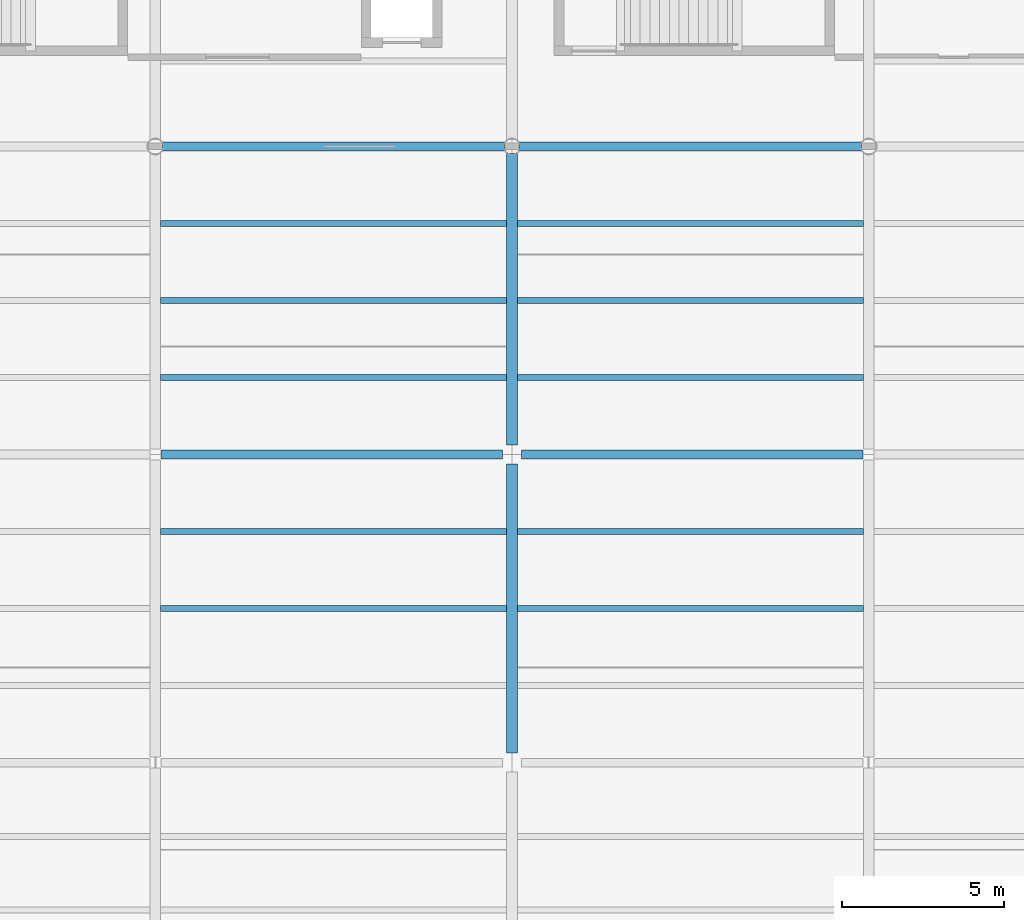
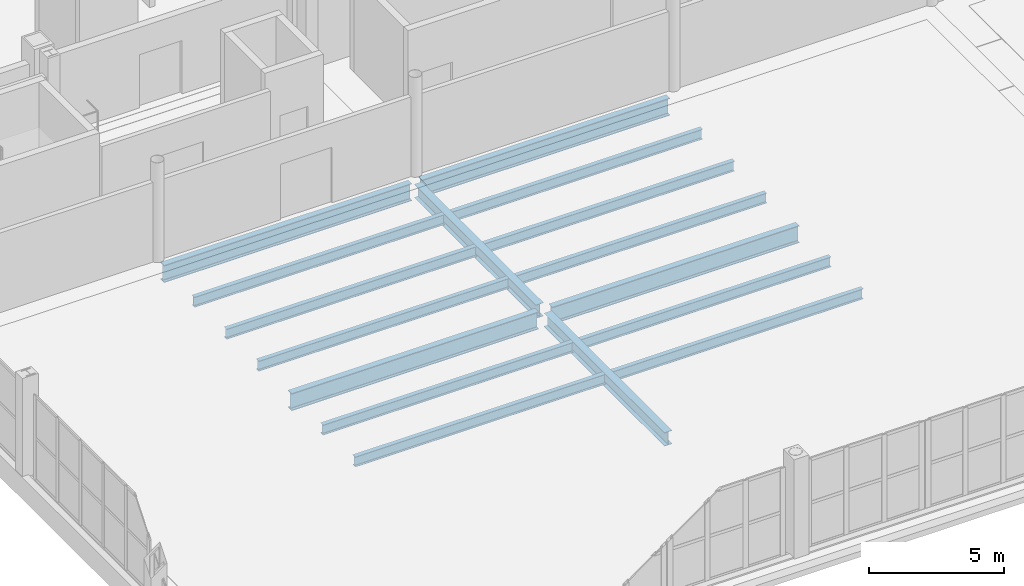
# One storey, part 25 of 156: 16 beams.
"""IFC4 building model written with IfcOpenShell, lengths in metres."""

from ifc_helpers import new_model, si_unit, direction, frame, origin, origin_2d, place, context, subcontext, project, spatial, i_section, extrude, material, material_profile, profile_set, type_object, element, save


model = new_model("IFC4")

# Units and contexts
model_context = context("Model", 3, precision=1e-05, world=origin(), true_north=direction((0.0, 1.0)))
body_context = subcontext(model_context, "Body", "Model", "MODEL_VIEW")
ifc_project = project(units=[si_unit("LENGTHUNIT", "METRE"), si_unit("AREAUNIT", "SQUARE_METRE"), si_unit("VOLUMEUNIT", "CUBIC_METRE"), si_unit("PLANEANGLEUNIT", "RADIAN"), si_unit("MASSUNIT", "GRAM", prefix="KILO")], contexts=[model_context])

# Site, building, storey
site_placement = place(None, origin())
site = spatial("IfcSite", under=ifc_project, at=site_placement, CompositionType="ELEMENT")
building_placement = place(site_placement, origin())
building = spatial("IfcBuilding", under=site, at=building_placement, Name="Caurita Quay Ferry Terminal", CompositionType="ELEMENT")
storey_placement = place(building_placement, frame((0.0, 0.0, 5.39990234375)))
storey = spatial("IfcBuildingStorey", under=building, at=storey_placement, Name="L01", CompositionType="ELEMENT", Elevation=5.39990234375)

# Beams
ifc_material = material(Name="Structural steel ASTM A992 Gr. 50", Category="steel")
ifc_material_profile_1 = material_profile(ifc_material, i_section(OverallWidth=0.3251953125, OverallDepth=0.612060546875, WebThickness=0.0126953125, FlangeThickness=0.01904296875, FilletRadius=0.01513671875, at=origin_2d()), Name="W24X104")
ifc_profile_set_1 = profile_set([ifc_material_profile_1], Name="Structural steel ASTM A992 Gr. 50")
beam_type_1 = type_object("IfcBeamType", Name="BM-GR-W24A", PredefinedType="BEAM", material=ifc_profile_set_1)
beam_1_placement = place(storey_placement, frame((22.0, 43.99755859375, -0.60595703125), z_axis=(0.0, 1.0, 0.0), x_axis=(-1.0, 0.0, 0.0)))
element("IfcBeam", 1, at=beam_1_placement, inside=storey, type_object=beam_type_1, Name="L01 Beam BM-V1-L01-Y-220-440", PredefinedType="BEAM", context=body_context, shape_type="SweptSolid", body=[
    extrude(i_section(OverallWidth=0.3251953125, OverallDepth=0.612060546875, WebThickness=0.0126953125, FlangeThickness=0.01904296875, FilletRadius=0.01513671875, at=origin_2d()), origin(), (0.0, 0.0, 1.0), 8.905029296875),
])
beam_2_placement = place(storey_placement, frame((22.0, 53.49755859375, -0.60595703125), z_axis=(0.0, 1.0, 0.0), x_axis=(-1.0, 0.0, 0.0)))
element("IfcBeam", 2, at=beam_2_placement, inside=storey, type_object=beam_type_1, Name="L01 Beam BM-V1-L01-Y-220-535", PredefinedType="BEAM", context=body_context, shape_type="SweptSolid", body=[
    extrude(i_section(OverallWidth=0.3251953125, OverallDepth=0.612060546875, WebThickness=0.0126953125, FlangeThickness=0.01904296875, FilletRadius=0.01513671875, at=origin_2d()), origin(), (0.0, 0.0, 1.0), 8.986572265625),
])
ifc_material_profile_2 = material_profile(ifc_material, i_section(OverallWidth=0.2666015625, OverallDepth=0.77978515625, WebThickness=0.0166015625, FlangeThickness=0.030029296875, FilletRadius=0.01904296875, at=origin_2d()), Name="W30X148")
ifc_profile_set_2 = profile_set([ifc_material_profile_2], Name="Structural steel ASTM A992 Gr. 50")
beam_type_2 = type_object("IfcBeamType", Name="BM-GR-W30A", PredefinedType="BEAM", material=ifc_profile_set_2)
for number, where, z_axis, x_axis, name in (
    (3, (11.17041015625, 53.199951171875, -0.689697265625), (1.0, 0.0, 0.0), (0.0, 1.0, 0.0), "L01 Beam BM-V1-L01-X-112-532"),
    (4, (22.297607421875, 53.199951171875, -0.689697265625), (1.0, 0.0, 0.0), (0.0, 1.0, 0.0), "L01 Beam BM-V1-L01-X-223-532"),
):
    element("IfcBeam", number, at=place(storey_placement, frame(where, z_axis=z_axis, x_axis=x_axis)), inside=storey, type_object=beam_type_2, Name=name, PredefinedType="BEAM", context=body_context, shape_type="SweptSolid", body=[
        extrude(i_section(OverallWidth=0.2666015625, OverallDepth=0.77978515625, WebThickness=0.0166015625, FlangeThickness=0.030029296875, FilletRadius=0.01904296875, at=origin_2d()), origin(), (0.0, 0.0, 1.0), 10.531982421875),
    ])
for number, where, z_axis, x_axis, name in (
    (5, (11.2158203125, 62.699951171875, -0.689697265625), (1.0, 0.0, 0.0), (0.0, 1.0, 0.0), "L01 Beam BM-V1-L01-X-112-627"),
    (6, (22.2158203125, 62.699951171875, -0.689697265625), (1.0, 0.0, 0.0), (0.0, 1.0, 0.0), "L01 Beam BM-V1-L01-X-222-627"),
):
    element("IfcBeam", number, at=place(storey_placement, frame(where, z_axis=z_axis, x_axis=x_axis)), inside=storey, type_object=beam_type_2, Name=name, PredefinedType="BEAM", context=body_context, shape_type="SweptSolid", body=[
        extrude(i_section(OverallWidth=0.2666015625, OverallDepth=0.77978515625, WebThickness=0.0166015625, FlangeThickness=0.030029296875, FilletRadius=0.01904296875, at=origin_2d()), origin(), (0.0, 0.0, 1.0), 10.568359375),
    ])
ifc_material_profile_3 = material_profile(ifc_material, i_section(OverallWidth=0.1904296875, OverallDepth=0.457275390625, WebThickness=0.009033203125, FlangeThickness=0.014404296875, FilletRadius=0.0126953125, at=origin_2d()), Name="W18X50")
ifc_profile_set_3 = profile_set([ifc_material_profile_3], Name="Structural steel ASTM A992 Gr. 50")
beam_type_3 = type_object("IfcBeamType", Name="BM-JS-W18B", PredefinedType="JOIST", material=ifc_profile_set_3)
for number, where, z_axis, x_axis, name in (
    (7, (11.16259765625, 48.449951171875, -0.528564453125), (1.0, 0.0, 0.0), (0.0, 1.0, 0.0), "L01 Beam JS-V1-L01-014"),
    (8, (11.16259765625, 50.824951171875, -0.528564453125), (1.0, 0.0, 0.0), (0.0, 1.0, 0.0), "L01 Beam JS-V1-L01-015"),
    (9, (11.16259765625, 55.574951171875, -0.528564453125), (1.0, 0.0, 0.0), (0.0, 1.0, 0.0), "L01 Beam JS-V1-L01-016"),
    (10, (11.16259765625, 57.949951171875, -0.528564453125), (1.0, 0.0, 0.0), (0.0, 1.0, 0.0), "L01 Beam JS-V1-L01-017"),
    (11, (11.16259765625, 60.324951171875, -0.528564453125), (1.0, 0.0, 0.0), (0.0, 1.0, 0.0), "L01 Beam JS-V1-L01-018"),
    (12, (22.16259765625, 48.449951171875, -0.528564453125), (1.0, 0.0, 0.0), (0.0, 1.0, 0.0), "L01 Beam JS-V1-L01-024"),
    (13, (22.16259765625, 50.824951171875, -0.528564453125), (1.0, 0.0, 0.0), (0.0, 1.0, 0.0), "L01 Beam JS-V1-L01-025"),
    (14, (22.16259765625, 55.574951171875, -0.528564453125), (1.0, 0.0, 0.0), (0.0, 1.0, 0.0), "L01 Beam JS-V1-L01-026"),
    (15, (22.16259765625, 57.949951171875, -0.528564453125), (1.0, 0.0, 0.0), (0.0, 1.0, 0.0), "L01 Beam JS-V1-L01-027"),
    (16, (22.16259765625, 60.324951171875, -0.528564453125), (1.0, 0.0, 0.0), (0.0, 1.0, 0.0), "L01 Beam JS-V1-L01-028"),
):
    element("IfcBeam", number, at=place(storey_placement, frame(where, z_axis=z_axis, x_axis=x_axis)), inside=storey, type_object=beam_type_3, Name=name, PredefinedType="JOIST", context=body_context, shape_type="SweptSolid", body=[
        extrude(i_section(OverallWidth=0.1904296875, OverallDepth=0.457275390625, WebThickness=0.009033203125, FlangeThickness=0.014404296875, FilletRadius=0.0126953125, at=origin_2d()), origin(), (0.0, 0.0, 1.0), 10.6748046875),
    ])

save(model, "model.ifc")
